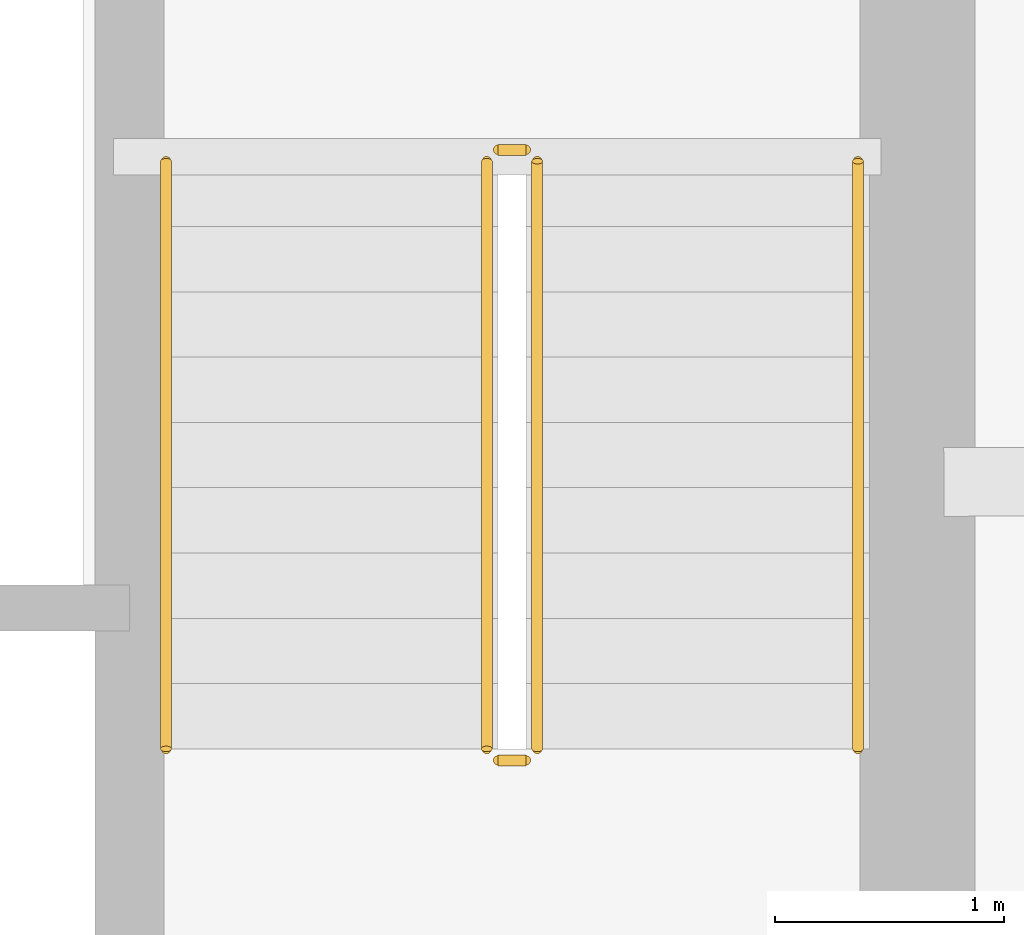
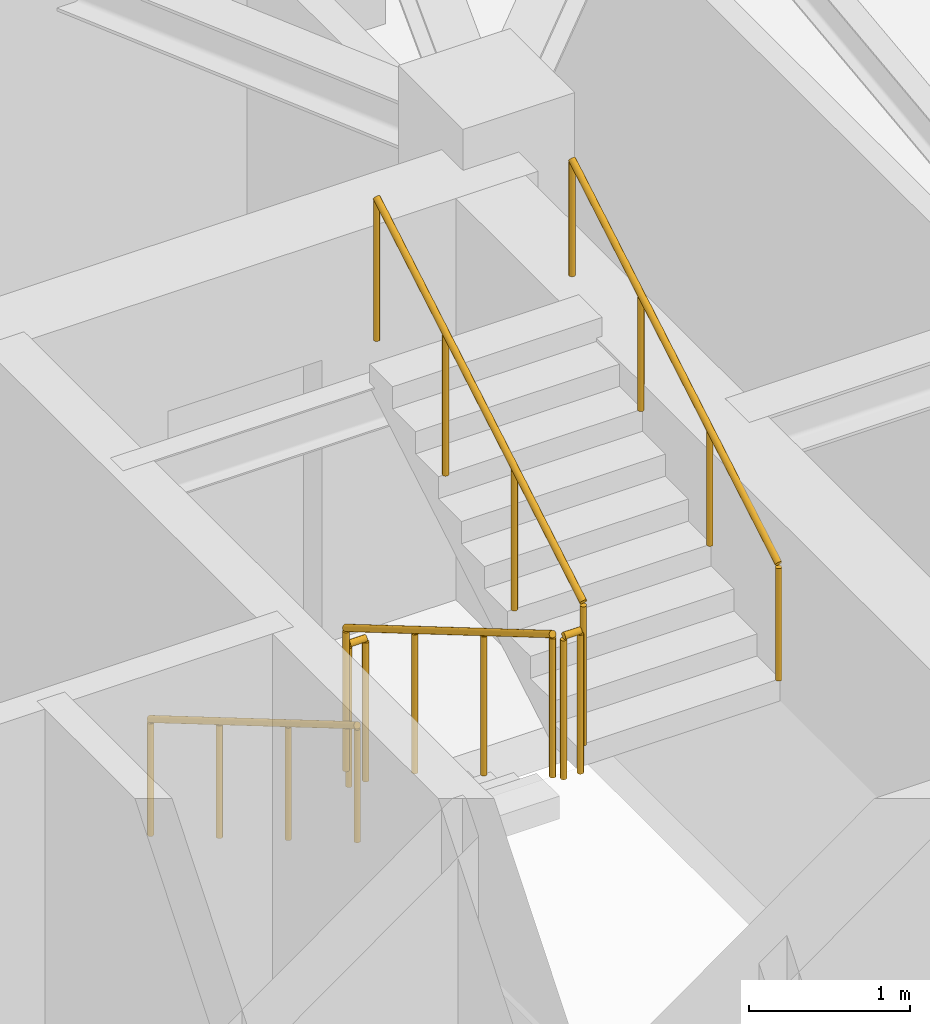
# One storey, part 12 of 12: 6 railings.
"""IFC4 building model written with IfcOpenShell, lengths in metres."""

from ifc_helpers import new_model, si_unit, direction, frame, origin, origin_2d, place, context, subcontext, project, spatial, circle, extrude, material, type_object, element, save


model = new_model("IFC4")

# Units and contexts
model_context = context("Model", 3, precision=1e-05, world=origin(), true_north=direction((0.0, 1.0)))
body_context = subcontext(model_context, "Body", "Model", "MODEL_VIEW")
ifc_project = project(units=[si_unit("LENGTHUNIT", "METRE"), si_unit("AREAUNIT", "SQUARE_METRE"), si_unit("VOLUMEUNIT", "CUBIC_METRE"), si_unit("PLANEANGLEUNIT", "RADIAN"), si_unit("MASSUNIT", "GRAM", prefix="KILO")], contexts=[model_context])

# Site, building, storey
site_placement = place(None, origin())
site = spatial("IfcSite", under=ifc_project, at=site_placement, CompositionType="ELEMENT")
building_placement = place(site_placement, origin())
building = spatial("IfcBuilding", under=site, at=building_placement, Name="Qobustan Lattice House", CompositionType="ELEMENT")
storey_placement = place(building_placement, frame((0.0, 0.0, 183.0)))
storey = spatial("IfcBuildingStorey", under=building, at=storey_placement, Name="L51", CompositionType="ELEMENT", Elevation=183.0)

# Railings
ifc_material_1 = material(Name="Brushed stainless steel handrail", Category="steel")
railing_type_1 = type_object("IfcRailingType", Name="RAL-HR-920", PredefinedType="HANDRAIL", material=ifc_material_1)
railing_1_placement = place(storey_placement, frame((15.179931640625, 3.5, 0.16748046875)))
element("IfcRailing", 1, at=railing_1_placement, inside=storey, type_object=railing_type_1, Name="L51 ST-E1 stair handrail 1", PredefinedType="HANDRAIL", context=body_context, shape_type="SweptSolid", body=[
    extrude(circle(Radius=0.02392578125, at=origin_2d()), frame((0.0, 0.0, 0.8759765625), z_axis=(0.0, -0.862113467892, 0.50671527358), x_axis=(1.0, 0.0, 0.0)), (0.0, 0.0, 1.0), 2.97509765625),
    extrude(circle(Radius=0.02099609375, at=origin_2d()), origin(), (0.0, 0.0, 1.0), 0.851806640625),
    extrude(circle(Radius=0.02099609375, at=origin_2d()), frame((0.0, -0.85498046875, 0.50244140625)), (0.0, 0.0, 1.0), 0.851806640625),
    extrude(circle(Radius=0.02099609375, at=origin_2d()), frame((0.0, -1.7099609375, 1.005126953125)), (0.0, 0.0, 1.0), 0.851806640625),
    extrude(circle(Radius=0.02099609375, at=origin_2d()), frame((0.0, -2.56494140625, 1.507568359375)), (0.0, 0.0, 1.0), 0.851806640625),
])
railing_2_placement = place(storey_placement, frame((18.199951171875, 0.93505859375, 1.842529296875)))
element("IfcRailing", 2, at=railing_2_placement, inside=storey, type_object=railing_type_1, Name="L51 ST-E1 stair handrail 2", PredefinedType="HANDRAIL", context=body_context, shape_type="SweptSolid", body=[
    extrude(circle(Radius=0.02392578125, at=origin_2d()), frame((0.0, 0.0, 0.8759765625), z_axis=(0.0, 0.862113467892, 0.50671527358), x_axis=(-1.0, 0.0, 0.0)), (0.0, 0.0, 1.0), 2.97509765625),
    extrude(circle(Radius=0.02099609375, at=origin_2d()), origin(), (0.0, 0.0, 1.0), 0.851806640625),
    extrude(circle(Radius=0.02099609375, at=origin_2d()), frame((0.0, 0.85498046875, 0.50244140625)), (0.0, 0.0, 1.0), 0.851806640625),
    extrude(circle(Radius=0.02099609375, at=origin_2d()), frame((0.0, 1.7099609375, 1.005126953125)), (0.0, 0.0, 1.0), 0.851806640625),
    extrude(circle(Radius=0.02099609375, at=origin_2d()), frame((0.0, 2.56494140625, 1.507568359375)), (0.0, 0.0, 1.0), 0.851806640625),
])
ifc_material_2 = material(Name="Painted galvanized steel guardrail", Category="steel")
railing_type_2 = type_object("IfcRailingType", Name="RAL-STG-1150", PredefinedType="GUARDRAIL", material=ifc_material_2)
railing_3_placement = place(storey_placement, frame((16.580078125, 3.5, 0.16748046875)))
element("IfcRailing", 3, at=railing_3_placement, inside=storey, type_object=railing_type_2, Name="L51 ST-E1 stair guard 1", PredefinedType="GUARDRAIL", context=body_context, shape_type="SweptSolid", body=[
    extrude(circle(Radius=0.02392578125, at=origin_2d()), frame((0.0, 0.0, 1.076171875), z_axis=(0.0, -0.862113467892, 0.50671527358), x_axis=(1.0, 0.0, 0.0)), (0.0, 0.0, 1.0), 2.97509765625),
    extrude(circle(Radius=0.02099609375, at=origin_2d()), origin(), (0.0, 0.0, 1.0), 1.052001953125),
    extrude(circle(Radius=0.02099609375, at=origin_2d()), frame((0.0, -0.85498046875, 0.50244140625)), (0.0, 0.0, 1.0), 1.052001953125),
    extrude(circle(Radius=0.02099609375, at=origin_2d()), frame((0.0, -1.7099609375, 1.005126953125)), (0.0, 0.0, 1.0), 1.052001953125),
    extrude(circle(Radius=0.02099609375, at=origin_2d()), frame((0.0, -2.56494140625, 1.507568359375)), (0.0, 0.0, 1.0), 1.052001953125),
])
railing_4_placement = place(storey_placement, frame((16.6298828125, 0.885009765625, 1.675048828125)))
element("IfcRailing", 4, at=railing_4_placement, inside=storey, type_object=railing_type_2, Name="L51 ST-E1 stair guard 2", PredefinedType="GUARDRAIL", context=body_context, shape_type="SweptSolid", body=[
    extrude(circle(Radius=0.02392578125, at=origin_2d()), frame((0.0, 0.0, 1.076171875), z_axis=(1.0, 0.0, 0.0), x_axis=(0.0, 1.0, 0.0)), (0.0, 0.0, 1.0), 0.1201171875),
    extrude(circle(Radius=0.02099609375, at=origin_2d()), origin(), (0.0, 0.0, 1.0), 1.052001953125),
    extrude(circle(Radius=0.02099609375, at=origin_2d()), frame((0.1201171875, 0.0, 0.0)), (0.0, 0.0, 1.0), 1.052001953125),
])
railing_5_placement = place(storey_placement, frame((16.800048828125, 0.93505859375, 1.842529296875)))
element("IfcRailing", 5, at=railing_5_placement, inside=storey, type_object=railing_type_2, Name="L51 ST-E1 stair guard 3", PredefinedType="GUARDRAIL", context=body_context, shape_type="SweptSolid", body=[
    extrude(circle(Radius=0.02392578125, at=origin_2d()), frame((0.0, 0.0, 1.076171875), z_axis=(0.0, 0.862113467892, 0.50671527358), x_axis=(-1.0, 0.0, 0.0)), (0.0, 0.0, 1.0), 2.97509765625),
    extrude(circle(Radius=0.02099609375, at=origin_2d()), origin(), (0.0, 0.0, 1.0), 1.052001953125),
    extrude(circle(Radius=0.02099609375, at=origin_2d()), frame((0.0, 0.85498046875, 0.50244140625)), (0.0, 0.0, 1.0), 1.052001953125),
    extrude(circle(Radius=0.02099609375, at=origin_2d()), frame((0.0, 1.7099609375, 1.005126953125)), (0.0, 0.0, 1.0), 1.052001953125),
    extrude(circle(Radius=0.02099609375, at=origin_2d()), frame((0.0, 2.56494140625, 1.507568359375)), (0.0, 0.0, 1.0), 1.052001953125),
])
railing_6_placement = place(storey_placement, frame((16.6298828125, 3.550048828125, 0.0)))
element("IfcRailing", 6, at=railing_6_placement, inside=storey, type_object=railing_type_2, Name="L51 ST-E1 stair guard 4", PredefinedType="GUARDRAIL", context=body_context, shape_type="SweptSolid", body=[
    extrude(circle(Radius=0.02392578125, at=origin_2d()), frame((0.0, 0.0, 1.076171875), z_axis=(1.0, 0.0, 0.0), x_axis=(0.0, 1.0, 0.0)), (0.0, 0.0, 1.0), 0.1201171875),
    extrude(circle(Radius=0.02099609375, at=origin_2d()), origin(), (0.0, 0.0, 1.0), 1.052001953125),
    extrude(circle(Radius=0.02099609375, at=origin_2d()), frame((0.1201171875, 0.0, 0.0)), (0.0, 0.0, 1.0), 1.052001953125),
])

save(model, "model.ifc")
